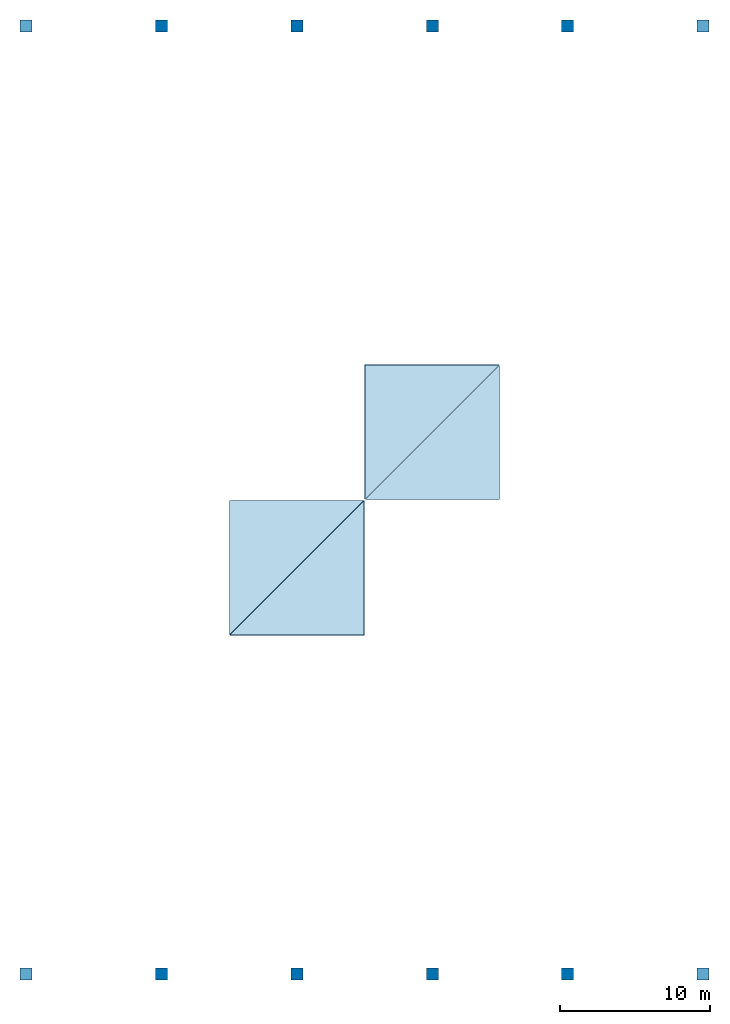
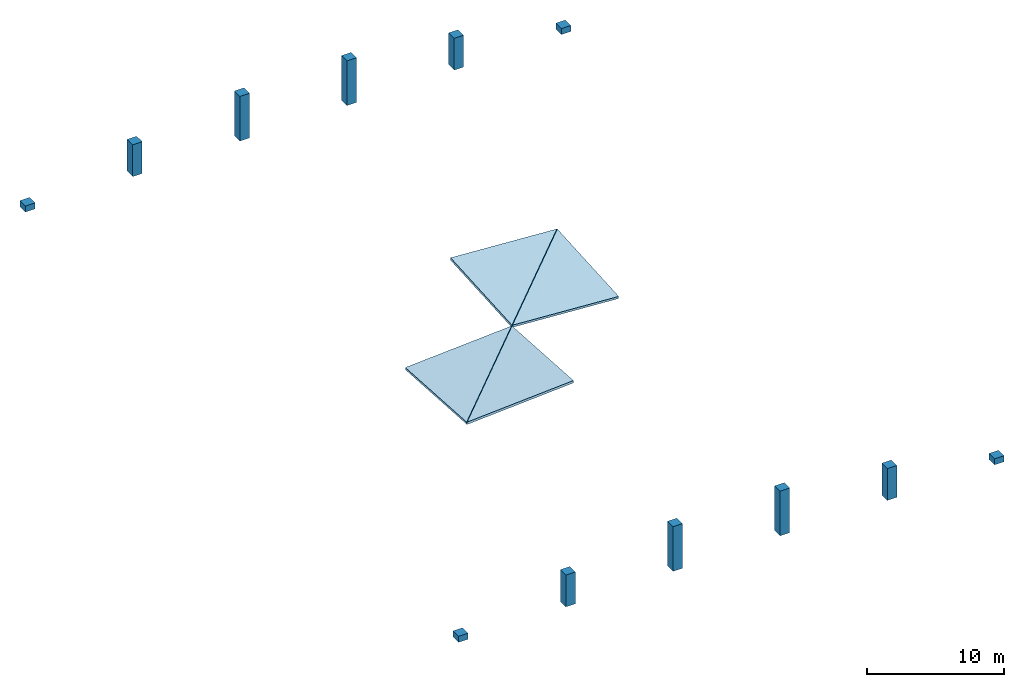
# One storey: 12 columns, 4 slabs.
"""IFC4 building model written with IfcOpenShell, lengths in metres."""

from ifc_helpers import new_model, si_unit, direction, frame, origin, origin_2d, place, context, subcontext, project, spatial, polyline, rectangle, outline, extrude, material, layer, layer_set, material_profile, profile_set, type_object, element, save


model = new_model("IFC4")

# Units and contexts
model_context = context("Model", 3, precision=1e-05, world=origin(), true_north=direction((0.0, 1.0)))
body_context = subcontext(model_context, "Body", "Model", "MODEL_VIEW")
ifc_project = project(units=[si_unit("LENGTHUNIT", "METRE"), si_unit("AREAUNIT", "SQUARE_METRE"), si_unit("VOLUMEUNIT", "CUBIC_METRE"), si_unit("PLANEANGLEUNIT", "RADIAN"), si_unit("MASSUNIT", "GRAM", prefix="KILO")], contexts=[model_context])

# Site, building, storey
site_placement = place(None, origin())
site = spatial("IfcSite", under=ifc_project, at=site_placement, CompositionType="ELEMENT")
building_placement = place(site_placement, origin())
building = spatial("IfcBuilding", under=site, at=building_placement, Name="Opaline Strait Convention Centre", CompositionType="ELEMENT")
storey_placement = place(building_placement, frame((0.0, 0.0, 24.93310546875)))
storey = spatial("IfcBuildingStorey", under=building, at=storey_placement, Name="Roof Plenary Hall", CompositionType="ELEMENT", Elevation=24.93310546875)

# Columns
ifc_material_1 = material(Name="Concrete C40", Category="concrete")
ifc_material_profile = material_profile(ifc_material_1, rectangle(XDim=0.800048828125, YDim=0.800048828125, at=origin_2d()), Name="RC 800x800")
ifc_profile_set = profile_set([ifc_material_profile], Name="Concrete C40")
column_type = type_object("IfcColumnType", Name="RC column 800x800 C40", PredefinedType="COLUMN", material=ifc_profile_set)
column_1_placement = place(storey_placement, frame((18.0, 117.0, 0.0), z_axis=(0.0, 0.0, 1.0), x_axis=(1.0, 0.0, 0.0)))
element("IfcColumn", 1, at=column_1_placement, inside=storey, type_object=column_type, Name="XC2 L02 at 3/P above Roof Plenary Hall", PredefinedType="COLUMN", context=body_context, shape_type="SweptSolid", body=[
    extrude(rectangle(XDim=0.800048828125, YDim=0.800048828125, at=origin_2d()), origin(), (0.0, 0.0, 1.0), 0.535400390625),
])
column_2_placement = place(storey_placement, frame((27.0, 117.0, 0.0), z_axis=(0.0, 0.0, 1.0), x_axis=(1.0, 0.0, 0.0)))
element("IfcColumn", 2, at=column_2_placement, inside=storey, type_object=column_type, Name="XC2 L02 at 4/P above Roof Plenary Hall", PredefinedType="COLUMN", context=body_context, shape_type="SweptSolid", body=[
    extrude(rectangle(XDim=0.800048828125, YDim=0.800048828125, at=origin_2d()), origin(), (0.0, 0.0, 1.0), 2.8212890625),
])
for number, where, z_axis, x_axis, name in (
    (3, (36.0, 117.0, 0.0), (0.0, 0.0, 1.0), (1.0, 0.0, 0.0), "XC2 L02 at 5/P above Roof Plenary Hall"),
    (4, (45.0, 117.0, 0.0), (0.0, 0.0, 1.0), (1.0, 0.0, 0.0), "XC2 L02 at 6/P above Roof Plenary Hall"),
):
    element("IfcColumn", number, at=place(storey_placement, frame(where, z_axis=z_axis, x_axis=x_axis)), inside=storey, type_object=column_type, Name=name, PredefinedType="COLUMN", context=body_context, shape_type="SweptSolid", body=[
        extrude(rectangle(XDim=0.800048828125, YDim=0.800048828125, at=origin_2d()), origin(), (0.0, 0.0, 1.0), 3.964111328125),
    ])
column_3_placement = place(storey_placement, frame((54.0, 117.0, 0.0), z_axis=(0.0, 0.0, 1.0), x_axis=(1.0, 0.0, 0.0)))
element("IfcColumn", 5, at=column_3_placement, inside=storey, type_object=column_type, Name="XC2 L02 at 7/P above Roof Plenary Hall", PredefinedType="COLUMN", context=body_context, shape_type="SweptSolid", body=[
    extrude(rectangle(XDim=0.800048828125, YDim=0.800048828125, at=origin_2d()), origin(), (0.0, 0.0, 1.0), 2.8212890625),
])
for number, where, z_axis, x_axis, name in (
    (6, (63.0, 117.0, 0.0), (0.0, 0.0, 1.0), (1.0, 0.0, 0.0), "XC2 L02 at 8/P above Roof Plenary Hall"),
    (7, (18.0, 180.0, 0.0), (0.0, 0.0, 1.0), (1.0, 0.0, 0.0), "XC2 L02 at 3/W above Roof Plenary Hall"),
):
    element("IfcColumn", number, at=place(storey_placement, frame(where, z_axis=z_axis, x_axis=x_axis)), inside=storey, type_object=column_type, Name=name, PredefinedType="COLUMN", context=body_context, shape_type="SweptSolid", body=[
        extrude(rectangle(XDim=0.800048828125, YDim=0.800048828125, at=origin_2d()), origin(), (0.0, 0.0, 1.0), 0.535400390625),
    ])
column_4_placement = place(storey_placement, frame((27.0, 180.0, 0.0), z_axis=(0.0, 0.0, 1.0), x_axis=(1.0, 0.0, 0.0)))
element("IfcColumn", 8, at=column_4_placement, inside=storey, type_object=column_type, Name="XC2 L02 at 4/W above Roof Plenary Hall", PredefinedType="COLUMN", context=body_context, shape_type="SweptSolid", body=[
    extrude(rectangle(XDim=0.800048828125, YDim=0.800048828125, at=origin_2d()), origin(), (0.0, 0.0, 1.0), 2.8212890625),
])
for number, where, z_axis, x_axis, name in (
    (9, (36.0, 180.0, 0.0), (0.0, 0.0, 1.0), (1.0, 0.0, 0.0), "XC2 L02 at 5/W above Roof Plenary Hall"),
    (10, (45.0, 180.0, 0.0), (0.0, 0.0, 1.0), (1.0, 0.0, 0.0), "XC2 L02 at 6/W above Roof Plenary Hall"),
):
    element("IfcColumn", number, at=place(storey_placement, frame(where, z_axis=z_axis, x_axis=x_axis)), inside=storey, type_object=column_type, Name=name, PredefinedType="COLUMN", context=body_context, shape_type="SweptSolid", body=[
        extrude(rectangle(XDim=0.800048828125, YDim=0.800048828125, at=origin_2d()), origin(), (0.0, 0.0, 1.0), 3.964111328125),
    ])
column_5_placement = place(storey_placement, frame((54.0, 180.0, 0.0), z_axis=(0.0, 0.0, 1.0), x_axis=(1.0, 0.0, 0.0)))
element("IfcColumn", 11, at=column_5_placement, inside=storey, type_object=column_type, Name="XC2 L02 at 7/W above Roof Plenary Hall", PredefinedType="COLUMN", context=body_context, shape_type="SweptSolid", body=[
    extrude(rectangle(XDim=0.800048828125, YDim=0.800048828125, at=origin_2d()), origin(), (0.0, 0.0, 1.0), 2.8212890625),
])
column_6_placement = place(storey_placement, frame((63.0, 180.0, 0.0), z_axis=(0.0, 0.0, 1.0), x_axis=(1.0, 0.0, 0.0)))
element("IfcColumn", 12, at=column_6_placement, inside=storey, type_object=column_type, Name="XC2 L02 at 8/W above Roof Plenary Hall", PredefinedType="COLUMN", context=body_context, shape_type="SweptSolid", body=[
    extrude(rectangle(XDim=0.800048828125, YDim=0.800048828125, at=origin_2d()), origin(), (0.0, 0.0, 1.0), 0.535400390625),
])

# Slabs
ifc_material_2 = material(Name="Steel Q235-B profiled roof deck with insulation and membrane", Category="steel")
ifc_layer = layer(ifc_material_2, 0.199951171875)
ifc_layer_set = layer_set([ifc_layer], Name="Steel Q235-B profiled roof deck with insulation and membrane")
slab_type = type_object("IfcSlabType", Name="Shell roof deck panel 200", PredefinedType="ROOF", material=ifc_layer_set)
slab_1_placement = place(storey_placement, frame((31.546142578125, 139.523193359375, 0.769287109375), z_axis=(-0.063223072107, 0.063223072107, 0.99599482243), x_axis=(0.997991383615, 0.0, 0.063349808441)))
element("IfcSlab", 13, at=slab_1_placement, inside=storey, type_object=slab_type, Name="PRD1 roof deck 4-4a", PredefinedType="ROOF", context=body_context, shape_type="SweptSolid", body=[
    extrude(outline(polyline([(0.0, 0.0), (8.94863844429923, 0.0), (8.912725784338553, 8.948566381697388), (0.0, 0.0)])), origin(), (0.0, 0.0, -1.0), 0.199951171875),
])
slab_2_placement = place(storey_placement, frame((31.523193359375, 139.546142578125, 0.76611328125), z_axis=(-0.063223072107, 0.063223072107, 0.99599482243), x_axis=(0.707106781187, 0.707106781187, 0.0)))
element("IfcSlab", 14, at=slab_2_placement, inside=storey, type_object=slab_type, Name="PRD1 roof deck 4-4b", PredefinedType="ROOF", context=body_context, shape_type="SweptSolid", body=[
    extrude(outline(polyline([(0.0, 0.0), (12.629866238185503, 0.0), (6.314933119092752, 6.340327255605633), (0.0, 0.0)])), origin(), (0.0, 0.0, -1.0), 0.199951171875),
])
slab_3_placement = place(storey_placement, frame((40.546142578125, 148.523193359375, 0.76611328125), z_axis=(0.063223072107, -0.063223072107, 0.99599482243), x_axis=(0.997991383615, 0.0, -0.063349808441)))
element("IfcSlab", 15, at=slab_3_placement, inside=storey, type_object=slab_type, Name="PRD1 roof deck 5-5a", PredefinedType="ROOF", context=body_context, shape_type="SweptSolid", body=[
    extrude(outline(polyline([(0.0, 0.0), (8.94863844429923, 0.0), (8.912725784338553, 8.948566381697388), (0.0, 0.0)])), origin(), (0.0, 0.0, -1.0), 0.199951171875),
])
slab_4_placement = place(storey_placement, frame((40.523193359375, 148.546142578125, 0.769287109375), z_axis=(0.063223072107, -0.063223072107, 0.99599482243), x_axis=(0.707106781187, 0.707106781187, 0.0)))
element("IfcSlab", 16, at=slab_4_placement, inside=storey, type_object=slab_type, Name="PRD1 roof deck 5-5b", PredefinedType="ROOF", context=body_context, shape_type="SweptSolid", body=[
    extrude(outline(polyline([(0.0, 0.0), (12.629866238185503, 0.0), (6.314933119092752, 6.340327255605633), (0.0, 0.0)])), origin(), (0.0, 0.0, -1.0), 0.199951171875),
])

save(model, "model.ifc")
